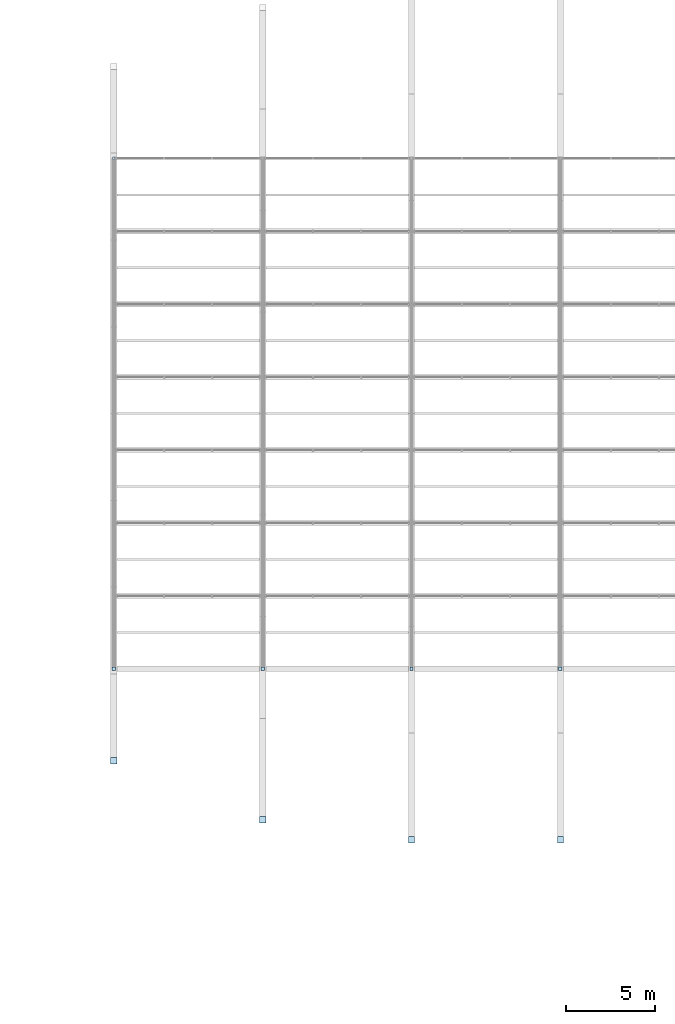
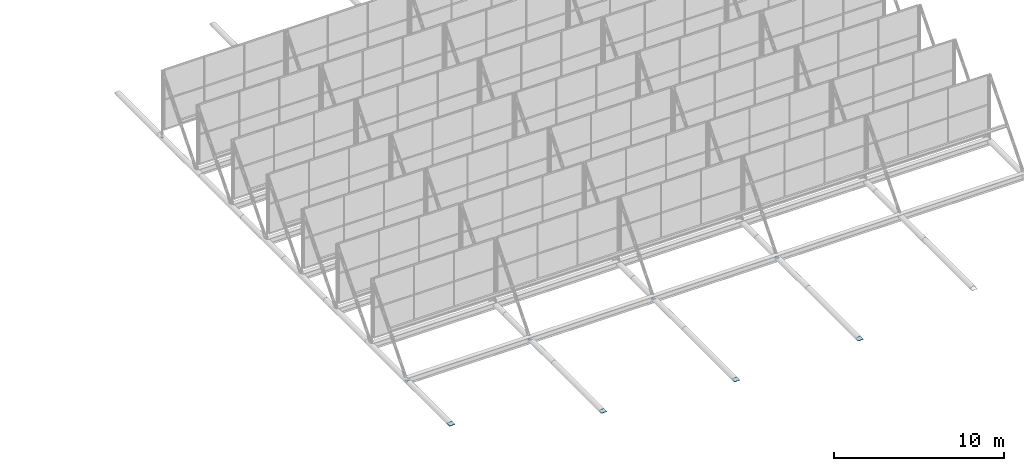
# One storey, part 69 of 77: 9 plates.
"""IFC4 building model written with IfcOpenShell, lengths in metres."""

from ifc_helpers import new_model, si_unit, derived_unit, direction, frame, origin, origin_2d, place, context, subcontext, project, spatial, rectangle, extrude, material, layer, layer_set, type_object, element, save


model = new_model("IFC4")

# Units and contexts
model_context = context("Model", 3, precision=1e-05, world=origin(), true_north=direction((0.0, 1.0)))
body_context = subcontext(model_context, "Body", "Model", "MODEL_VIEW")
ifc_project = project(units=[si_unit("LENGTHUNIT", "METRE"), si_unit("AREAUNIT", "SQUARE_METRE"), si_unit("VOLUMEUNIT", "CUBIC_METRE"), si_unit("PLANEANGLEUNIT", "RADIAN"), si_unit("MASSUNIT", "GRAM", prefix="KILO"), derived_unit("THERMALTRANSMITTANCEUNIT", [(si_unit("MASSUNIT", "GRAM", prefix="KILO"), 1), (si_unit("TIMEUNIT", "SECOND"), -3), (si_unit("THERMODYNAMICTEMPERATUREUNIT", "KELVIN"), -1)])], contexts=[model_context])

# Site, building, storey
site_placement = place(None, origin())
site = spatial("IfcSite", under=ifc_project, at=site_placement, CompositionType="ELEMENT")
building_placement = place(site_placement, origin())
building = spatial("IfcBuilding", under=site, at=building_placement, Name="Kharveza Railside Sports Centre", CompositionType="ELEMENT")
storey_placement = place(building_placement, frame((0.0, 0.0, 17.10009765625)))
storey = spatial("IfcBuildingStorey", under=building, at=storey_placement, Name="L04", CompositionType="ELEMENT", Elevation=17.10009765625)

# Plates
ifc_material = material(Name="Steel S355J2", Category="steel")
ifc_layer_1 = layer(ifc_material, 0.02001953125, Name="Steel S355J2")
ifc_layer_set_1 = layer_set([ifc_layer_1], Name="Steel S355J2")
plate_type_1 = type_object("IfcPlateType", Name="PL-EC02", PredefinedType="USERDEFINED", material=ifc_layer_set_1)
for number, where, z_axis, x_axis, name in (
    (1, (33.60009765625, 30.8134765625, -1.06005859375), (0.0, 0.0, 1.0), (1.0, 0.0, 0.0), "PLT-EC-086"),
    (2, (42.0, 27.484619140625, -1.06005859375), (0.0, 0.0, 1.0), (1.0, 0.0, 0.0), "PLT-EC-088"),
    (3, (50.39990234375, 26.361572265625, -1.06005859375), (0.0, 0.0, 1.0), (1.0, 0.0, 0.0), "PLT-EC-090"),
    (4, (58.800048828125, 26.361572265625, -1.06005859375), (0.0, 0.0, 1.0), (1.0, 0.0, 0.0), "PLT-EC-092"),
):
    element("IfcPlate", number, at=place(storey_placement, frame(where, z_axis=z_axis, x_axis=x_axis)), inside=storey, type_object=plate_type_1, Name=name, ObjectType="END_CAP_PLATE", PredefinedType="USERDEFINED", context=body_context, shape_type="SweptSolid", body=[
        extrude(rectangle(XDim=0.35595703125, YDim=0.35595703125, at=origin_2d()), origin(), (0.0, 0.0, 1.0), 0.02001953125),
    ])
ifc_layer_2 = layer(ifc_material, 0.02001953125, Name="Steel S355J2")
ifc_layer_set_2 = layer_set([ifc_layer_2], Name="Steel S355J2")
plate_type_2 = type_object("IfcPlateType", Name="PL-EC09", PredefinedType="USERDEFINED", material=ifc_layer_set_2)
for number, where, z_axis, x_axis, name in (
    (5, (33.60009765625, 36.0, -1.06005859375), (0.0, 0.0, 1.0), (1.0, 0.0, 0.0), "PLT-EC-098"),
    (6, (42.0, 36.0, -1.06005859375), (0.0, 0.0, 1.0), (1.0, 0.0, 0.0), "PLT-EC-099"),
    (7, (50.39990234375, 36.0, -1.06005859375), (0.0, 0.0, 1.0), (1.0, 0.0, 0.0), "PLT-EC-100"),
    (8, (58.800048828125, 36.0, -1.06005859375), (0.0, 0.0, 1.0), (1.0, 0.0, 0.0), "PLT-EC-101"),
):
    element("IfcPlate", number, at=place(storey_placement, frame(where, z_axis=z_axis, x_axis=x_axis)), inside=storey, type_object=plate_type_2, Name=name, ObjectType="END_CAP_PLATE", PredefinedType="USERDEFINED", context=body_context, shape_type="SweptSolid", body=[
        extrude(rectangle(XDim=0.194091796875, YDim=0.194091796875, at=origin_2d()), origin(), (0.0, 0.0, 1.0), 0.02001953125),
    ])
ifc_layer_3 = layer(ifc_material, 0.02001953125, Name="Steel S355J2")
ifc_layer_set_3 = layer_set([ifc_layer_3], Name="Steel S355J2")
plate_type_3 = type_object("IfcPlateType", Name="PL-EC12", PredefinedType="USERDEFINED", material=ifc_layer_set_3)
plate_placement = place(storey_placement, frame((33.60009765625, 64.800048828125, -1.06005859375), z_axis=(0.0, 0.0, 1.0), x_axis=(1.0, 0.0, 0.0)))
element("IfcPlate", 9, at=plate_placement, inside=storey, type_object=plate_type_3, Name="PLT-EC-104", ObjectType="END_CAP_PLATE", PredefinedType="USERDEFINED", context=body_context, shape_type="SweptSolid", body=[
    extrude(rectangle(XDim=0.139892578125, YDim=0.139892578125, at=origin_2d()), origin(), (0.0, 0.0, 1.0), 0.02001953125),
])

save(model, "model.ifc")
